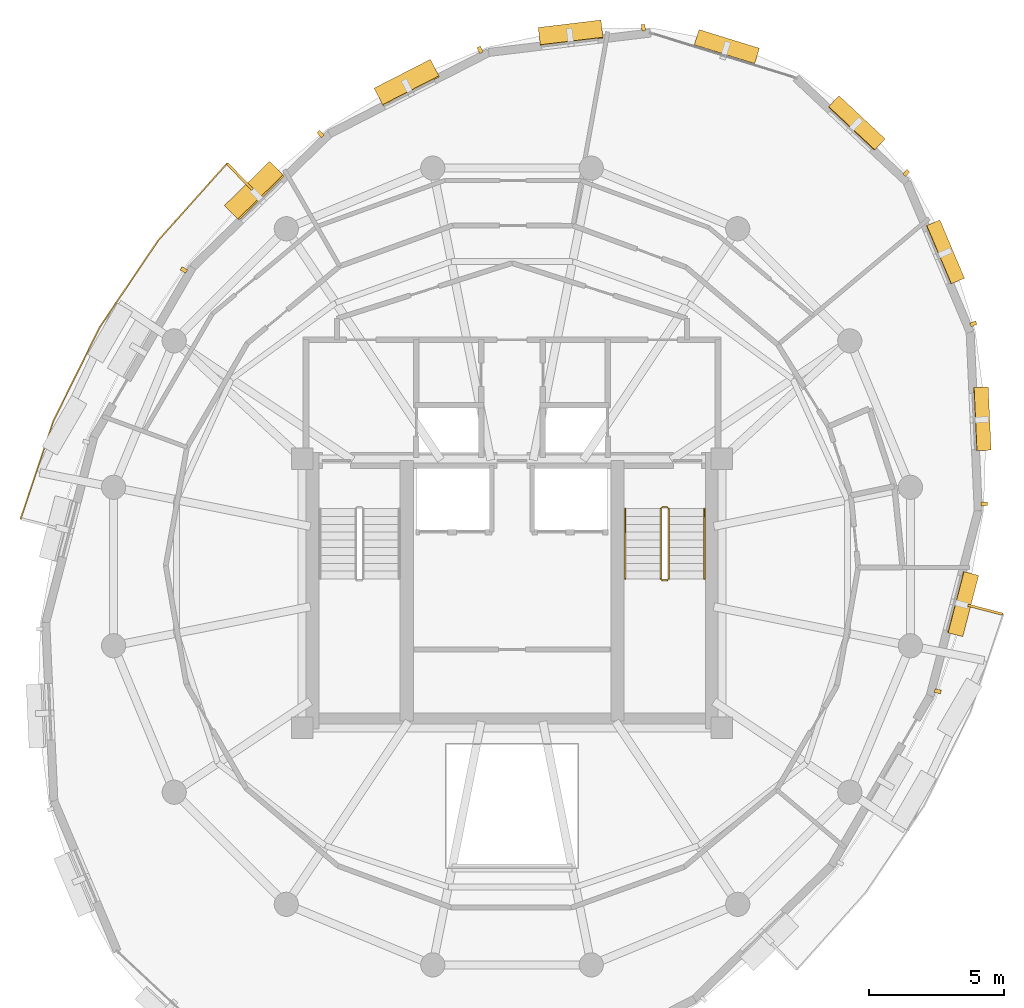
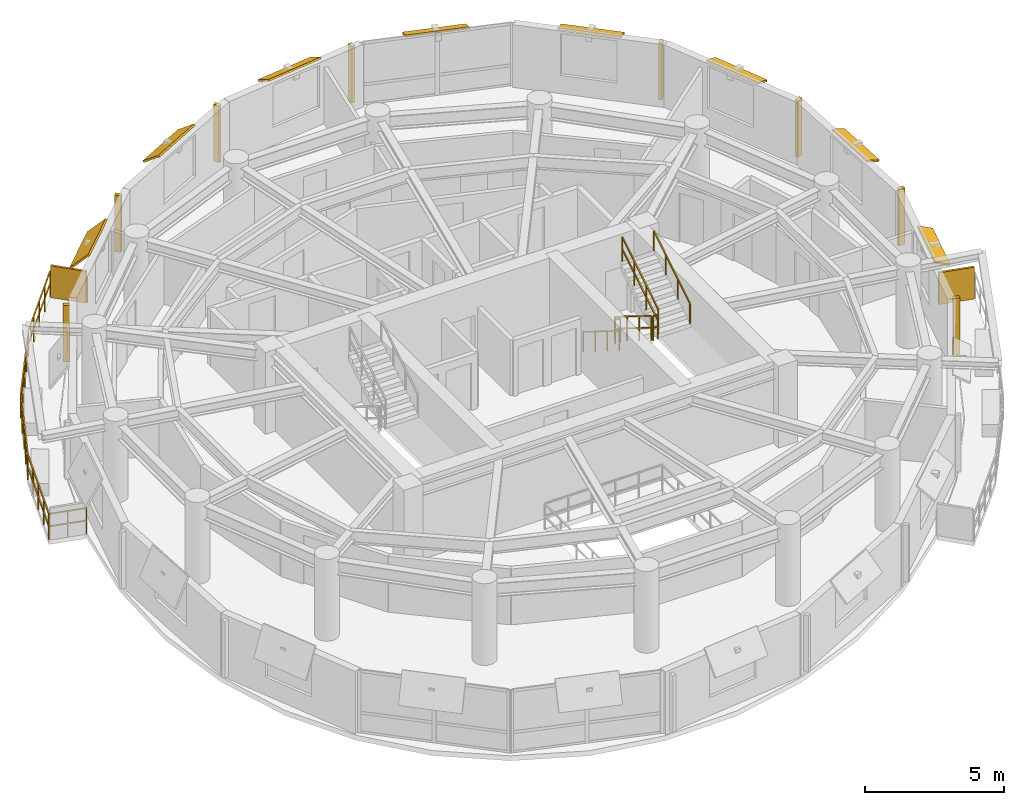
# One storey, part 11 of 11: 18 shading devices, 7 railings.
"""IFC4 building model written with IfcOpenShell, lengths in metres."""

from ifc_helpers import new_model, si_unit, direction, frame, origin, origin_2d, place, context, subcontext, project, spatial, rectangle, extrude, material, layer, layer_set, type_object, element, save


model = new_model("IFC4")

# Units and contexts
model_context = context("Model", 3, precision=1e-05, world=origin(), true_north=direction((0.0, 1.0)))
body_context = subcontext(model_context, "Body", "Model", "MODEL_VIEW")
ifc_project = project(units=[si_unit("LENGTHUNIT", "METRE"), si_unit("AREAUNIT", "SQUARE_METRE"), si_unit("VOLUMEUNIT", "CUBIC_METRE"), si_unit("PLANEANGLEUNIT", "RADIAN"), si_unit("MASSUNIT", "GRAM", prefix="KILO"), si_unit("THERMODYNAMICTEMPERATUREUNIT", "KELVIN"), si_unit("POWERUNIT", "WATT")], contexts=[model_context])

# Site, building, storey
site_placement = place(None, origin())
site = spatial("IfcSite", under=ifc_project, at=site_placement, CompositionType="ELEMENT")
building_placement = place(site_placement, origin())
building = spatial("IfcBuilding", under=site, at=building_placement, Name="Ocrelia Relay Tower", CompositionType="ELEMENT")
storey_placement = place(building_placement, frame((0.0, 0.0, 277.199951171875)))
storey = spatial("IfcBuildingStorey", under=building, at=storey_placement, Name="L69", CompositionType="ELEMENT", Elevation=277.199951171875)

# Railings
ifc_material_1 = material(Name="Steel S355 balustrade", Category="steel")
railing_type_1 = type_object("IfcRailingType", Name="RL-EXT-GUARD-1150", PredefinedType="GUARDRAIL", material=ifc_material_1)
railing_1_placement = place(storey_placement, frame((17.084228515625, 27.430908203125, 0.0)))
element("IfcRailing", 1, at=railing_1_placement, inside=storey, type_object=railing_type_1, Name="L69 Loggia Balcony Guard Rail B1", PredefinedType="GUARDRAIL", context=body_context, shape_type="SweptSolid", body=[
    extrude(rectangle(XDim=0.048095703125, YDim=0.048095703125, at=origin_2d()), frame((0.0, 0.0, 1.1259765625), z_axis=(-0.968322440393, 0.249703126594, 0.0), x_axis=(-0.249703126594, -0.968322440393, 0.0)), (0.0, 0.0, 1.0), 1.393310546875),
    extrude(rectangle(XDim=0.048095703125, YDim=0.048095703125, at=origin_2d()), frame((0.0, 0.0, 0.574951171875), z_axis=(-0.968322440393, 0.249703126594, 0.0), x_axis=(-0.249703126594, -0.968322440393, 0.0)), (0.0, 0.0, 1.0), 1.393310546875),
    extrude(rectangle(XDim=0.048095703125, YDim=0.048095703125, at=origin_2d()), frame((-1.34912109375, 0.347900390625, 1.1259765625), z_axis=(0.317371446029, 0.948301305095, 0.0), x_axis=(-0.948301305095, 0.317371446029, 0.0)), (0.0, 0.0, 1.0), 1.9208984375),
    extrude(rectangle(XDim=0.048095703125, YDim=0.048095703125, at=origin_2d()), frame((-1.34912109375, 0.347900390625, 0.574951171875), z_axis=(0.317371446029, 0.948301305095, 0.0), x_axis=(-0.948301305095, 0.317371446029, 0.0)), (0.0, 0.0, 1.0), 1.9208984375),
    extrude(rectangle(XDim=0.048095703125, YDim=0.048095703125, at=origin_2d()), frame((-0.739501953125, 2.16943359375, 1.1259765625), z_axis=(0.317524005867, 0.948250233693, 0.0), x_axis=(-0.948250233693, 0.317524005867, 0.0)), (0.0, 0.0, 1.0), 1.920654296875),
    extrude(rectangle(XDim=0.048095703125, YDim=0.048095703125, at=origin_2d()), frame((-0.739501953125, 2.16943359375, 0.574951171875), z_axis=(0.317524005867, 0.948250233693, 0.0), x_axis=(-0.948250233693, 0.317524005867, 0.0)), (0.0, 0.0, 1.0), 1.920654296875),
    extrude(rectangle(XDim=0.048095703125, YDim=0.048095703125, at=origin_2d()), frame((-0.129638671875, 3.99072265625, 1.1259765625), z_axis=(0.443083039554, 0.896480574279, 0.0), x_axis=(-0.896480574279, 0.443083039554, 0.0)), (0.0, 0.0, 1.0), 3.8818359375),
    extrude(rectangle(XDim=0.048095703125, YDim=0.048095703125, at=origin_2d()), frame((-0.129638671875, 3.99072265625, 0.574951171875), z_axis=(0.443083039554, 0.896480574279, 0.0), x_axis=(-0.896480574279, 0.443083039554, 0.0)), (0.0, 0.0, 1.0), 3.8818359375),
    extrude(rectangle(XDim=0.048095703125, YDim=0.048095703125, at=origin_2d()), frame((1.59033203125, 7.470703125, 1.1259765625), z_axis=(0.559147700013, 0.829068060879, 0.0), x_axis=(-0.829068060879, 0.559147700013, 0.0)), (0.0, 0.0, 1.0), 3.882080078125),
    extrude(rectangle(XDim=0.048095703125, YDim=0.048095703125, at=origin_2d()), frame((1.59033203125, 7.470703125, 0.574951171875), z_axis=(0.559147700013, 0.829068060879, 0.0), x_axis=(-0.829068060879, 0.559147700013, 0.0)), (0.0, 0.0, 1.0), 3.882080078125),
    extrude(rectangle(XDim=0.048095703125, YDim=0.048095703125, at=origin_2d()), frame((3.760986328125, 10.689208984375, 1.1259765625), z_axis=(0.666397151966, 0.745596966096, 0.0), x_axis=(-0.745596966096, 0.666397151966, 0.0)), (0.0, 0.0, 1.0), 1.92041015625),
    extrude(rectangle(XDim=0.048095703125, YDim=0.048095703125, at=origin_2d()), frame((3.760986328125, 10.689208984375, 0.574951171875), z_axis=(0.666397151966, 0.745596966096, 0.0), x_axis=(-0.745596966096, 0.666397151966, 0.0)), (0.0, 0.0, 1.0), 1.92041015625),
    extrude(rectangle(XDim=0.048095703125, YDim=0.048095703125, at=origin_2d()), frame((5.040771484375, 12.12109375, 1.1259765625), z_axis=(0.66640465755, 0.745590257713, 0.0), x_axis=(-0.745590257713, 0.66640465755, 0.0)), (0.0, 0.0, 1.0), 1.9208984375),
    extrude(rectangle(XDim=0.048095703125, YDim=0.048095703125, at=origin_2d()), frame((5.040771484375, 12.12109375, 0.574951171875), z_axis=(0.66640465755, 0.745590257713, 0.0), x_axis=(-0.745590257713, 0.66640465755, 0.0)), (0.0, 0.0, 1.0), 1.9208984375),
    extrude(rectangle(XDim=0.048095703125, YDim=0.048095703125, at=origin_2d()), frame((6.32080078125, 13.55322265625, 1.1259765625), z_axis=(0.696783108823, -0.717281882706, 0.0), x_axis=(0.717281882706, 0.696783108823, 0.0)), (0.0, 0.0, 1.0), 1.3935546875),
    extrude(rectangle(XDim=0.048095703125, YDim=0.048095703125, at=origin_2d()), frame((6.32080078125, 13.55322265625, 0.574951171875), z_axis=(0.696783108823, -0.717281882706, 0.0), x_axis=(0.717281882706, 0.696783108823, 0.0)), (0.0, 0.0, 1.0), 1.3935546875),
    extrude(rectangle(XDim=0.0419921875, YDim=0.0419921875, at=origin_2d()), origin(), (0.0, 0.0, 1.0), 1.101806640625),
    extrude(rectangle(XDim=0.0419921875, YDim=0.0419921875, at=origin_2d()), frame((-0.674560546875, 0.173828125, 0.0)), (0.0, 0.0, 1.0), 1.101806640625),
    extrude(rectangle(XDim=0.0419921875, YDim=0.0419921875, at=origin_2d()), frame((-1.34912109375, 0.347900390625, 0.0)), (0.0, 0.0, 1.0), 1.101806640625),
    extrude(rectangle(XDim=0.0419921875, YDim=0.0419921875, at=origin_2d()), frame((-1.04443359375, 1.2587890625, 0.0)), (0.0, 0.0, 1.0), 1.101806640625),
    extrude(rectangle(XDim=0.0419921875, YDim=0.0419921875, at=origin_2d()), frame((-0.739501953125, 2.16943359375, 0.0)), (0.0, 0.0, 1.0), 1.101806640625),
    extrude(rectangle(XDim=0.0419921875, YDim=0.0419921875, at=origin_2d()), frame((-0.4345703125, 3.080078125, 0.0)), (0.0, 0.0, 1.0), 1.101806640625),
    extrude(rectangle(XDim=0.0419921875, YDim=0.0419921875, at=origin_2d()), frame((-0.129638671875, 3.99072265625, 0.0)), (0.0, 0.0, 1.0), 1.101806640625),
    extrude(rectangle(XDim=0.0419921875, YDim=0.0419921875, at=origin_2d()), frame((0.30029296875, 4.86083984375, 0.0)), (0.0, 0.0, 1.0), 1.101806640625),
    extrude(rectangle(XDim=0.0419921875, YDim=0.0419921875, at=origin_2d()), frame((0.73046875, 5.730712890625, 0.0)), (0.0, 0.0, 1.0), 1.101806640625),
    extrude(rectangle(XDim=0.0419921875, YDim=0.0419921875, at=origin_2d()), frame((1.160400390625, 6.6005859375, 0.0)), (0.0, 0.0, 1.0), 1.101806640625),
    extrude(rectangle(XDim=0.0419921875, YDim=0.0419921875, at=origin_2d()), frame((1.59033203125, 7.470703125, 0.0)), (0.0, 0.0, 1.0), 1.101806640625),
    extrude(rectangle(XDim=0.0419921875, YDim=0.0419921875, at=origin_2d()), frame((2.133056640625, 8.275390625, 0.0)), (0.0, 0.0, 1.0), 1.101806640625),
    extrude(rectangle(XDim=0.0419921875, YDim=0.0419921875, at=origin_2d()), frame((2.67578125, 9.080078125, 0.0)), (0.0, 0.0, 1.0), 1.101806640625),
    extrude(rectangle(XDim=0.0419921875, YDim=0.0419921875, at=origin_2d()), frame((3.21826171875, 9.884521484375, 0.0)), (0.0, 0.0, 1.0), 1.101806640625),
    extrude(rectangle(XDim=0.0419921875, YDim=0.0419921875, at=origin_2d()), frame((3.760986328125, 10.689208984375, 0.0)), (0.0, 0.0, 1.0), 1.101806640625),
    extrude(rectangle(XDim=0.0419921875, YDim=0.0419921875, at=origin_2d()), frame((4.40087890625, 11.4052734375, 0.0)), (0.0, 0.0, 1.0), 1.101806640625),
    extrude(rectangle(XDim=0.0419921875, YDim=0.0419921875, at=origin_2d()), frame((5.040771484375, 12.12109375, 0.0)), (0.0, 0.0, 1.0), 1.101806640625),
    extrude(rectangle(XDim=0.0419921875, YDim=0.0419921875, at=origin_2d()), frame((5.6806640625, 12.837158203125, 0.0)), (0.0, 0.0, 1.0), 1.101806640625),
    extrude(rectangle(XDim=0.0419921875, YDim=0.0419921875, at=origin_2d()), frame((6.32080078125, 13.55322265625, 0.0)), (0.0, 0.0, 1.0), 1.101806640625),
    extrude(rectangle(XDim=0.0419921875, YDim=0.0419921875, at=origin_2d()), frame((6.80615234375, 13.053466796875, 0.0)), (0.0, 0.0, 1.0), 1.101806640625),
    extrude(rectangle(XDim=0.0419921875, YDim=0.0419921875, at=origin_2d()), frame((7.291748046875, 12.5537109375, 0.0)), (0.0, 0.0, 1.0), 1.101806640625),
])
railing_type_2 = type_object("IfcRailingType", Name="RL-STAIR-GUARD", PredefinedType="GUARDRAIL", material=ifc_material_1)
railing_2_placement = place(storey_placement, frame((39.530029296875, 28.14990234375, 0.179931640625)))
element("IfcRailing", 2, at=railing_2_placement, inside=storey, type_object=railing_type_2, Name="L69 ST2 stair guard 1", PredefinedType="GUARDRAIL", context=body_context, shape_type="SweptSolid", body=[
    extrude(rectangle(XDim=0.048095703125, YDim=0.048095703125, at=origin_2d()), frame((0.0, 0.0, 1.076171875), z_axis=(0.0, -0.849610693518, 0.52741034258), x_axis=(1.0, 0.0, 0.0)), (0.0, 0.0, 1.0), 3.07177734375),
    extrude(rectangle(XDim=0.048095703125, YDim=0.048095703125, at=origin_2d()), frame((0.0, 0.0, 0.550048828125), z_axis=(0.0, -0.849610693518, 0.52741034258), x_axis=(1.0, 0.0, 0.0)), (0.0, 0.0, 1.0), 3.07177734375),
    extrude(rectangle(XDim=0.0419921875, YDim=0.0419921875, at=origin_2d()), origin(), (0.0, 0.0, 1.0), 1.052001953125),
    extrude(rectangle(XDim=0.0419921875, YDim=0.0419921875, at=origin_2d()), frame((0.0, -0.869873046875, 0.5400390625)), (0.0, 0.0, 1.0), 1.052001953125),
    extrude(rectangle(XDim=0.0419921875, YDim=0.0419921875, at=origin_2d()), frame((0.0, -1.739990234375, 1.080078125)), (0.0, 0.0, 1.0), 1.052001953125),
    extrude(rectangle(XDim=0.0419921875, YDim=0.0419921875, at=origin_2d()), frame((0.0, -2.60986328125, 1.6201171875)), (0.0, 0.0, 1.0), 1.052001953125),
])
railing_3_placement = place(storey_placement, frame((39.580078125, 25.489990234375, 1.800048828125)))
element("IfcRailing", 3, at=railing_3_placement, inside=storey, type_object=railing_type_2, Name="L69 ST2 stair guard 2", PredefinedType="GUARDRAIL", context=body_context, shape_type="SweptSolid", body=[
    extrude(rectangle(XDim=0.048095703125, YDim=0.048095703125, at=origin_2d()), frame((0.0, 0.0, 1.076171875), z_axis=(1.0, 0.0, 0.0), x_axis=(0.0, 1.0, 0.0)), (0.0, 0.0, 1.0), 0.199951171875),
    extrude(rectangle(XDim=0.048095703125, YDim=0.048095703125, at=origin_2d()), frame((0.0, 0.0, 0.550048828125), z_axis=(1.0, 0.0, 0.0), x_axis=(0.0, 1.0, 0.0)), (0.0, 0.0, 1.0), 0.199951171875),
    extrude(rectangle(XDim=0.0419921875, YDim=0.0419921875, at=origin_2d()), origin(), (0.0, 0.0, 1.0), 1.052001953125),
    extrude(rectangle(XDim=0.0419921875, YDim=0.0419921875, at=origin_2d()), frame((0.199951171875, 0.0, 0.0)), (0.0, 0.0, 1.0), 1.052001953125),
])
railing_4_placement = place(storey_placement, frame((39.830078125, 25.5400390625, 1.97998046875)))
element("IfcRailing", 4, at=railing_4_placement, inside=storey, type_object=railing_type_2, Name="L69 ST2 stair guard 3", PredefinedType="GUARDRAIL", context=body_context, shape_type="SweptSolid", body=[
    extrude(rectangle(XDim=0.048095703125, YDim=0.048095703125, at=origin_2d()), frame((0.0, 0.0, 1.076171875), z_axis=(0.0, 0.849610693518, 0.52741034258), x_axis=(-1.0, 0.0, 0.0)), (0.0, 0.0, 1.0), 3.07177734375),
    extrude(rectangle(XDim=0.048095703125, YDim=0.048095703125, at=origin_2d()), frame((0.0, 0.0, 0.550048828125), z_axis=(0.0, 0.849610693518, 0.52741034258), x_axis=(-1.0, 0.0, 0.0)), (0.0, 0.0, 1.0), 3.07177734375),
    extrude(rectangle(XDim=0.0419921875, YDim=0.0419921875, at=origin_2d()), origin(), (0.0, 0.0, 1.0), 1.052001953125),
    extrude(rectangle(XDim=0.0419921875, YDim=0.0419921875, at=origin_2d()), frame((0.0, 0.869873046875, 0.5400390625)), (0.0, 0.0, 1.0), 1.052001953125),
    extrude(rectangle(XDim=0.0419921875, YDim=0.0419921875, at=origin_2d()), frame((0.0, 1.739990234375, 1.080078125)), (0.0, 0.0, 1.0), 1.052001953125),
    extrude(rectangle(XDim=0.0419921875, YDim=0.0419921875, at=origin_2d()), frame((0.0, 2.60986328125, 1.6201171875)), (0.0, 0.0, 1.0), 1.052001953125),
])
railing_5_placement = place(storey_placement, frame((39.580078125, 28.199951171875, 0.0)))
element("IfcRailing", 5, at=railing_5_placement, inside=storey, type_object=railing_type_2, Name="L69 ST2 stair guard 4", PredefinedType="GUARDRAIL", context=body_context, shape_type="SweptSolid", body=[
    extrude(rectangle(XDim=0.048095703125, YDim=0.048095703125, at=origin_2d()), frame((0.0, 0.0, 1.076171875), z_axis=(1.0, 0.0, 0.0), x_axis=(0.0, 1.0, 0.0)), (0.0, 0.0, 1.0), 0.199951171875),
    extrude(rectangle(XDim=0.048095703125, YDim=0.048095703125, at=origin_2d()), frame((0.0, 0.0, 0.550048828125), z_axis=(1.0, 0.0, 0.0), x_axis=(0.0, 1.0, 0.0)), (0.0, 0.0, 1.0), 0.199951171875),
    extrude(rectangle(XDim=0.0419921875, YDim=0.0419921875, at=origin_2d()), origin(), (0.0, 0.0, 1.0), 1.052001953125),
    extrude(rectangle(XDim=0.0419921875, YDim=0.0419921875, at=origin_2d()), frame((0.199951171875, 0.0, 0.0)), (0.0, 0.0, 1.0), 1.052001953125),
])
ifc_material_2 = material(Name="Steel S355 tubular handrail", Category="steel")
railing_type_3 = type_object("IfcRailingType", Name="RL-STAIR-HAND", PredefinedType="HANDRAIL", material=ifc_material_2)
railing_6_placement = place(storey_placement, frame((38.2099609375, 28.14990234375, 0.179931640625)))
element("IfcRailing", 6, at=railing_6_placement, inside=storey, type_object=railing_type_3, Name="L69 ST2 stair handrail 1", PredefinedType="HANDRAIL", context=body_context, shape_type="SweptSolid", body=[
    extrude(rectangle(XDim=0.048095703125, YDim=0.048095703125, at=origin_2d()), frame((0.0, 0.0, 0.8759765625), z_axis=(0.0, -0.849610693518, 0.52741034258), x_axis=(1.0, 0.0, 0.0)), (0.0, 0.0, 1.0), 3.07177734375),
    extrude(rectangle(XDim=0.0419921875, YDim=0.0419921875, at=origin_2d()), origin(), (0.0, 0.0, 1.0), 0.851806640625),
    extrude(rectangle(XDim=0.0419921875, YDim=0.0419921875, at=origin_2d()), frame((0.0, -0.869873046875, 0.5400390625)), (0.0, 0.0, 1.0), 0.851806640625),
    extrude(rectangle(XDim=0.0419921875, YDim=0.0419921875, at=origin_2d()), frame((0.0, -1.739990234375, 1.080078125)), (0.0, 0.0, 1.0), 0.851806640625),
    extrude(rectangle(XDim=0.0419921875, YDim=0.0419921875, at=origin_2d()), frame((0.0, -2.60986328125, 1.6201171875)), (0.0, 0.0, 1.0), 0.851806640625),
])
railing_7_placement = place(storey_placement, frame((41.14990234375, 25.5400390625, 1.97998046875)))
element("IfcRailing", 7, at=railing_7_placement, inside=storey, type_object=railing_type_3, Name="L69 ST2 stair handrail 2", PredefinedType="HANDRAIL", context=body_context, shape_type="SweptSolid", body=[
    extrude(rectangle(XDim=0.048095703125, YDim=0.048095703125, at=origin_2d()), frame((0.0, 0.0, 0.8759765625), z_axis=(0.0, 0.849610693518, 0.52741034258), x_axis=(-1.0, 0.0, 0.0)), (0.0, 0.0, 1.0), 3.07177734375),
    extrude(rectangle(XDim=0.0419921875, YDim=0.0419921875, at=origin_2d()), origin(), (0.0, 0.0, 1.0), 0.851806640625),
    extrude(rectangle(XDim=0.0419921875, YDim=0.0419921875, at=origin_2d()), frame((0.0, 0.869873046875, 0.5400390625)), (0.0, 0.0, 1.0), 0.851806640625),
    extrude(rectangle(XDim=0.0419921875, YDim=0.0419921875, at=origin_2d()), frame((0.0, 1.739990234375, 1.080078125)), (0.0, 0.0, 1.0), 0.851806640625),
    extrude(rectangle(XDim=0.0419921875, YDim=0.0419921875, at=origin_2d()), frame((0.0, 2.60986328125, 1.6201171875)), (0.0, 0.0, 1.0), 0.851806640625),
])

# Shading devices
ifc_material_3 = material(Name="Perforated oxide terracotta solar screen", Category="masonry")
ifc_layer_1 = layer(ifc_material_3, 0.090087890625, Name="Perforated oxide terracotta solar screen")
ifc_layer_set_1 = layer_set([ifc_layer_1], Name="Perforated oxide terracotta solar screen")
shading_device_type_1 = type_object("IfcShadingDeviceType", Name="SH-BALC-SCREEN", PredefinedType="USERDEFINED", material=ifc_layer_set_1)
for number, where, z_axis, x_axis, name in (
    (8, (23.890625, 40.484375, 0.0), (0.0, 0.0, 1.0), (-0.696769860149, 0.717294752517, 0.0), "L69 Balcony Perforated Terracotta Screen B1-1"),
    (9, (51.59033203125, 24.395263671875, 0.0), (0.0, 0.0, 1.0), (0.968295804364, -0.249806395536, 0.0), "L69 Balcony Perforated Terracotta Screen B2-2"),
):
    element("IfcShadingDevice", number, at=place(storey_placement, frame(where, z_axis=z_axis, x_axis=x_axis)), inside=storey, type_object=shading_device_type_1, Name=name, ObjectType="SCREEN", PredefinedType="USERDEFINED", context=body_context, shape_type="SweptSolid", body=[
        extrude(rectangle(XDim=1.340087890625, YDim=0.090087890625, at=origin_2d()), origin(), (0.0, 0.0, 1.0), 1.39990234375),
    ])
ifc_material_4 = material(Name="Extruded oxide terracotta vertical baguette", Category="masonry")
shading_device_type_2 = type_object("IfcShadingDeviceType", Name="SH-TERR-BAGUETTE", PredefinedType="USERDEFINED", material=ifc_material_4)
for number, where, z_axis, x_axis, name in (
    (10, (38.88427734375, 46.029296875, 0.130126953125), (0.0, 0.0, 1.0), (-0.992899379965, -0.118957224519, 0.0), "L69 Oxide Terracotta Vertical Baguette 02"),
    (11, (32.812744140625, 45.203857421875, 0.130126953125), (0.0, 0.0, 1.0), (-0.890240071717, -0.455491618704, 0.0), "L69 Oxide Terracotta Vertical Baguette 03"),
    (12, (26.884765625, 42.079833984375, 0.130126953125), (0.0, 0.0, 1.0), (-0.716196984998, -0.697898186471, 0.0), "L69 Oxide Terracotta Vertical Baguette 04"),
    (13, (21.8017578125, 37.02490234375, 0.130126953125), (0.0, 0.0, 1.0), (-0.502258892697, -0.864717297564, 0.0), "L69 Oxide Terracotta Vertical Baguette 05"),
    (14, (49.82470703125, 21.3642578125, 0.130126953125), (0.0, 0.0, 1.0), (0.251378187557, 0.967888943433, 0.0), "L69 Oxide Terracotta Vertical Baguette 15"),
    (15, (51.54931640625, 28.32666015625, 0.130126953125), (0.0, 0.0, 1.0), (-0.045430193971, 0.998967515726, 0.0), "L69 Oxide Terracotta Vertical Baguette 16"),
    (16, (51.1474609375, 35.023193359375, 0.130126953125), (0.0, 0.0, 1.0), (-0.388610789327, 0.921402004783, 0.0), "L69 Oxide Terracotta Vertical Baguette 17"),
    (17, (48.65478515625, 40.6298828125, 0.130126953125), (0.0, 0.0, 1.0), (-0.730125282793, 0.683313304003, 0.0), "L69 Oxide Terracotta Vertical Baguette 18"),
):
    element("IfcShadingDevice", number, at=place(storey_placement, frame(where, z_axis=z_axis, x_axis=x_axis)), inside=storey, type_object=shading_device_type_2, Name=name, ObjectType="BAGUETTE", PredefinedType="USERDEFINED", context=body_context, shape_type="SweptSolid", body=[
        extrude(rectangle(XDim=0.139892578125, YDim=0.239990234375, at=origin_2d()), origin(), (0.0, 0.0, 1.0), 2.5),
    ])
ifc_material_5 = material(Name="Extruded oxide terracotta fin", Category="masonry")
ifc_layer_2 = layer(ifc_material_5, 0.080078125, Name="Extruded oxide terracotta fin")
ifc_layer_set_2 = layer_set([ifc_layer_2], Name="Extruded oxide terracotta fin")
shading_device_type_3 = type_object("IfcShadingDeviceType", Name="SH-VISOR-FIN-MED", PredefinedType="USERDEFINED", material=ifc_layer_set_2)
shading_device_1_placement = place(storey_placement, frame((30.099853515625, 43.966552734375, 2.568115234375), z_axis=(-0.272276981216, 0.532154422455, 0.801671326767), x_axis=(-0.890240071717, -0.455491618704, 0.0)))
element("IfcShadingDevice", 18, at=shading_device_1_placement, inside=storey, type_object=shading_device_type_3, Name="L69 Canted Terracotta Sun-Visor Fin 03", ObjectType="FIN", PredefinedType="USERDEFINED", context=body_context, shape_type="SweptSolid", body=[
    extrude(rectangle(XDim=2.35009765625, YDim=0.862060546875, at=origin_2d()), origin(), (0.0, 0.0, 1.0), 0.080078125),
])
shading_device_2_placement = place(storey_placement, frame((24.437744140625, 39.94580078125, 2.572265625), z_axis=(-0.501517984711, 0.514667720214, 0.69541128031), x_axis=(-0.716196984998, -0.697898186471, 0.0)))
element("IfcShadingDevice", 19, at=shading_device_2_placement, inside=storey, type_object=shading_device_type_3, Name="L69 Canted Terracotta Sun-Visor Fin 04", ObjectType="FIN", PredefinedType="USERDEFINED", context=body_context, shape_type="SweptSolid", body=[
    extrude(rectangle(XDim=2.35009765625, YDim=1.01611328125, at=origin_2d()), origin(), (0.0, 0.0, 1.0), 0.080078125),
])
ifc_layer_3 = layer(ifc_material_5, 0.080078125, Name="Extruded oxide terracotta fin")
ifc_layer_set_3 = layer_set([ifc_layer_3], Name="Extruded oxide terracotta fin")
shading_device_type_4 = type_object("IfcShadingDeviceType", Name="SH-VISOR-FIN-SHAL", PredefinedType="USERDEFINED", material=ifc_layer_set_3)
shading_device_3_placement = place(storey_placement, frame((41.97509765625, 45.2958984375, 2.563720703125), z_axis=(0.121764401027, 0.393420152886, 0.911259575503), x_axis=(-0.955291722737, 0.295664885419, 0.0)))
element("IfcShadingDevice", 20, at=shading_device_3_placement, inside=storey, type_object=shading_device_type_4, Name="L69 Canted Terracotta Sun-Visor Fin 01", ObjectType="FIN", PredefinedType="USERDEFINED", context=body_context, shape_type="SweptSolid", body=[
    extrude(rectangle(XDim=2.35009765625, YDim=0.655029296875, at=origin_2d()), origin(), (0.0, 0.0, 1.0), 0.080078125),
])
shading_device_4_placement = place(storey_placement, frame((36.18310546875, 45.815185546875, 2.565185546875), z_axis=(-0.058649606851, 0.489530236712, 0.87001170737), x_axis=(-0.992899379965, -0.118957224519, 0.0)))
element("IfcShadingDevice", 21, at=shading_device_4_placement, inside=storey, type_object=shading_device_type_4, Name="L69 Canted Terracotta Sun-Visor Fin 02", ObjectType="FIN", PredefinedType="USERDEFINED", context=body_context, shape_type="SweptSolid", body=[
    extrude(rectangle(XDim=2.35009765625, YDim=0.741943359375, at=origin_2d()), origin(), (0.0, 0.0, 1.0), 0.080078125),
])
shading_device_5_placement = place(storey_placement, frame((50.75, 24.609375, 2.562744140625), z_axis=(0.349382353609, -0.090740888622, 0.93257603557), x_axis=(0.251378187557, 0.967888943433, 0.0)))
element("IfcShadingDevice", 22, at=shading_device_5_placement, inside=storey, type_object=shading_device_type_4, Name="L69 Canted Terracotta Sun-Visor Fin 15", ObjectType="FIN", PredefinedType="USERDEFINED", context=body_context, shape_type="SweptSolid", body=[
    extrude(rectangle(XDim=2.35009765625, YDim=0.60302734375, at=origin_2d()), origin(), (0.0, 0.0, 1.0), 0.080078125),
])
shading_device_6_placement = place(storey_placement, frame((51.467529296875, 31.488525390625, 2.56201171875), z_axis=(0.312178063081, 0.014196968106, 0.949917524329), x_axis=(-0.045430193971, 0.998967515726, 0.0)))
element("IfcShadingDevice", 23, at=shading_device_6_placement, inside=storey, type_object=shading_device_type_4, Name="L69 Canted Terracotta Sun-Visor Fin 16", ObjectType="FIN", PredefinedType="USERDEFINED", context=body_context, shape_type="SweptSolid", body=[
    extrude(rectangle(XDim=2.35009765625, YDim=0.552978515625, at=origin_2d()), origin(), (0.0, 0.0, 1.0), 0.080078125),
])
shading_device_7_placement = place(storey_placement, frame((50.094970703125, 37.68603515625, 2.56201171875), z_axis=(0.29144995846, 0.122922022981, 0.948655415828), x_axis=(-0.388610789327, 0.921402004783, 0.0)))
element("IfcShadingDevice", 24, at=shading_device_7_placement, inside=storey, type_object=shading_device_type_4, Name="L69 Canted Terracotta Sun-Visor Fin 17", ObjectType="FIN", PredefinedType="USERDEFINED", context=body_context, shape_type="SweptSolid", body=[
    extrude(rectangle(XDim=2.35009765625, YDim=0.556884765625, at=origin_2d()), origin(), (0.0, 0.0, 1.0), 0.080078125),
])
shading_device_8_placement = place(storey_placement, frame((46.80078125, 42.475830078125, 2.562744140625), z_axis=(0.240864560981, 0.25736555204, 0.935813675838), x_axis=(-0.730125282793, 0.683313304003, 0.0)))
element("IfcShadingDevice", 25, at=shading_device_8_placement, inside=storey, type_object=shading_device_type_4, Name="L69 Canted Terracotta Sun-Visor Fin 18", ObjectType="FIN", PredefinedType="USERDEFINED", context=body_context, shape_type="SweptSolid", body=[
    extrude(rectangle(XDim=2.35009765625, YDim=0.593994140625, at=origin_2d()), origin(), (0.0, 0.0, 1.0), 0.080078125),
])

save(model, "model.ifc")
